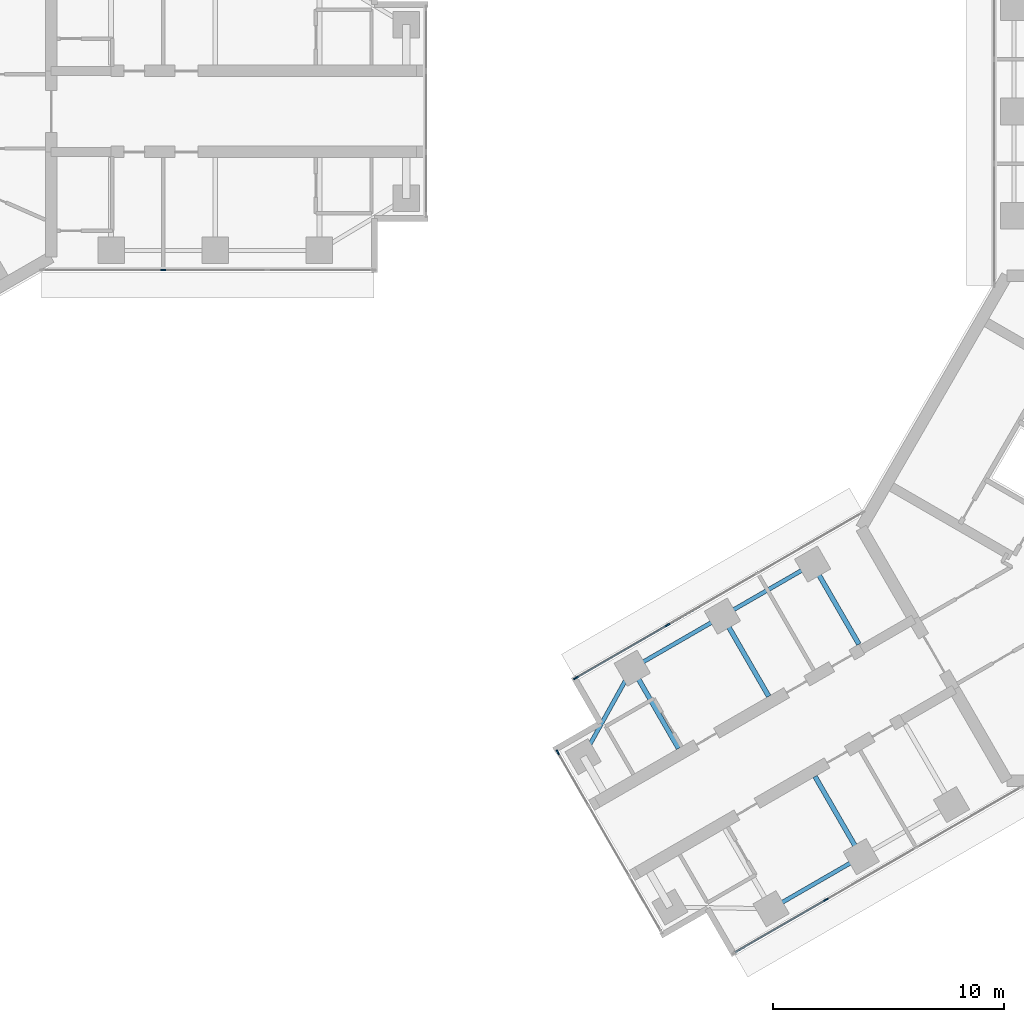
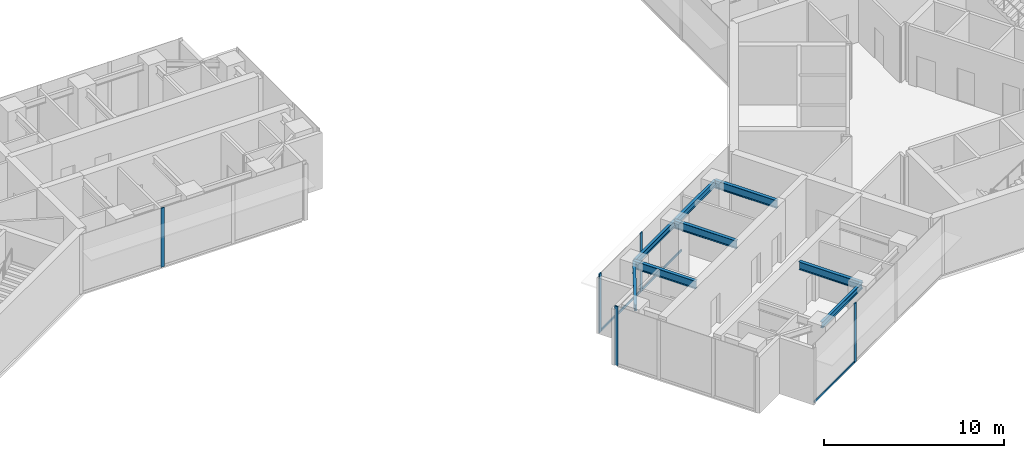
# One storey, part 3 of 17: 8 beams, 8 members, 4 elements without a shape of their own.
"""IFC4 building model written with IfcOpenShell, lengths in metres."""

from ifc_helpers import new_model, si_unit, direction, frame, origin, origin_2d, place, context, subcontext, project, spatial, rectangle, i_section, extrude, material, material_profile, profile_set, type_object, element, aggregate, save


model = new_model("IFC4")

# Units and contexts
model_context = context("Model", 3, precision=1e-05, world=origin(), true_north=direction((0.0, 1.0)))
body_context = subcontext(model_context, "Body", "Model", "MODEL_VIEW")
ifc_project = project(units=[si_unit("LENGTHUNIT", "METRE"), si_unit("AREAUNIT", "SQUARE_METRE"), si_unit("VOLUMEUNIT", "CUBIC_METRE"), si_unit("PLANEANGLEUNIT", "RADIAN"), si_unit("MASSUNIT", "GRAM", prefix="KILO")], contexts=[model_context])

# Site, building, storey
site_placement = place(None, origin())
site = spatial("IfcSite", under=ifc_project, at=site_placement, CompositionType="ELEMENT")
building_placement = place(site_placement, origin())
building = spatial("IfcBuilding", under=site, at=building_placement, Name="Upepo Twin Towers", CompositionType="ELEMENT")
storey_placement = place(building_placement, frame((0.0, 0.0, 194.5)))
storey = spatial("IfcBuildingStorey", under=building, at=storey_placement, Name="L47", CompositionType="ELEMENT", Elevation=194.5)

# Beams
ifc_material_1 = material(Name="Steel S355", Category="steel")
ifc_material_profile_1 = material_profile(ifc_material_1, i_section(OverallWidth=0.177978515625, OverallDepth=0.406494140625, WebThickness=0.0078125, FlangeThickness=0.0126953125, FilletRadius=0.01025390625, at=origin_2d()), Name="UB 406x178x60")
ifc_profile_set_1 = profile_set([ifc_material_profile_1], Name="Steel S355")
beam_type_1 = type_object("IfcBeamType", Name="Beam UB 406x178x60", PredefinedType="BEAM", material=ifc_profile_set_1)
beam_1_placement = place(storey_placement, frame((45.91162109375, -32.196044921875, 3.5966796875), z_axis=(-0.866031096941, -0.499990139034, 0.0), x_axis=(0.499990139034, -0.866031096941, 0.0)))
element("IfcBeam", 1, at=beam_1_placement, inside=storey, type_object=beam_type_1, Name="T2 edge beam BL 18.0-22.5", PredefinedType="BEAM", context=body_context, shape_type="SweptSolid", body=[
    extrude(i_section(OverallWidth=0.177978515625, OverallDepth=0.406494140625, WebThickness=0.0078125, FlangeThickness=0.0126953125, FilletRadius=0.01025390625, at=origin_2d()), origin(), (0.0, 0.0, 1.0), 4.5),
])
beam_2_placement = place(storey_placement, frame((43.80859375, -19.553955078125, 3.5966796875), z_axis=(-0.866017533419, -0.500013631625, 0.0), x_axis=(0.500013631625, -0.866017533419, 0.0)))
element("IfcBeam", 2, at=beam_2_placement, inside=storey, type_object=beam_type_1, Name="T2 edge beam BR 13.5-18.0", PredefinedType="BEAM", context=body_context, shape_type="SweptSolid", body=[
    extrude(i_section(OverallWidth=0.177978515625, OverallDepth=0.406494140625, WebThickness=0.0078125, FlangeThickness=0.0126953125, FilletRadius=0.01025390625, at=origin_2d()), origin(), (0.0, 0.0, 1.0), 4.499755859375),
])
beam_3_placement = place(storey_placement, frame((39.91162109375, -21.803955078125, 3.5966796875), z_axis=(-0.866031096941, -0.499990139034, 0.0), x_axis=(0.499990139034, -0.866031096941, 0.0)))
element("IfcBeam", 3, at=beam_3_placement, inside=storey, type_object=beam_type_1, Name="T2 edge beam BR 18.0-22.5", PredefinedType="BEAM", context=body_context, shape_type="SweptSolid", body=[
    extrude(i_section(OverallWidth=0.177978515625, OverallDepth=0.406494140625, WebThickness=0.0078125, FlangeThickness=0.0126953125, FilletRadius=0.01025390625, at=origin_2d()), origin(), (0.0, 0.0, 1.0), 4.5),
])
beam_4_placement = place(storey_placement, frame((36.014404296875, -24.053955078125, 3.5966796875), z_axis=(-0.485363242752, -0.874312600038, 0.0), x_axis=(0.874312600038, -0.485363242752, 0.0)))
element("IfcBeam", 4, at=beam_4_placement, inside=storey, type_object=beam_type_1, Name="T2 nose edge beam BR", PredefinedType="BEAM", context=body_context, shape_type="SweptSolid", body=[
    extrude(i_section(OverallWidth=0.177978515625, OverallDepth=0.406494140625, WebThickness=0.0078125, FlangeThickness=0.0126953125, FilletRadius=0.01025390625, at=origin_2d()), origin(), (0.0, 0.0, 1.0), 4.373046875),
])
ifc_material_2 = material(Name="Steel S355", Category="steel")
ifc_material_profile_2 = material_profile(ifc_material_2, i_section(OverallWidth=0.209228515625, OverallDepth=0.533203125, WebThickness=0.010009765625, FlangeThickness=0.015625, FilletRadius=0.0126953125, at=origin_2d()), Name="UB 533x210x92")
ifc_profile_set_2 = profile_set([ifc_material_profile_2], Name="Steel S355")
beam_type_2 = type_object("IfcBeamType", Name="Beam UB 533x210x92", PredefinedType="BEAM", material=ifc_profile_set_2)
for number, where, z_axis, x_axis, name in (
    (5, (45.91162109375, -32.196044921875, 3.533447265625), (-0.49999894854, 0.866026010844, 0.0), (-0.866026010844, -0.49999894854, 0.0), "T2 girder BL at 18.0"),
    (6, (43.80859375, -19.553955078125, 3.533447265625), (0.49999894854, -0.866026010844, 0.0), (0.866026010844, 0.49999894854, 0.0), "T2 girder BR at 13.5"),
    (7, (39.91162109375, -21.803955078125, 3.533447265625), (0.49999894854, -0.866026010844, 0.0), (0.866026010844, 0.49999894854, 0.0), "T2 girder BR at 18.0"),
    (8, (36.014404296875, -24.053955078125, 3.533447265625), (0.49999894854, -0.866026010844, 0.0), (0.866026010844, 0.49999894854, 0.0), "T2 girder BR at 22.5"),
):
    element("IfcBeam", number, at=place(storey_placement, frame(where, z_axis=z_axis, x_axis=x_axis)), inside=storey, type_object=beam_type_2, Name=name, PredefinedType="BEAM", context=body_context, shape_type="SweptSolid", body=[
        extrude(i_section(OverallWidth=0.209228515625, OverallDepth=0.533203125, WebThickness=0.010009765625, FlangeThickness=0.015625, FilletRadius=0.0126953125, at=origin_2d()), origin(), (0.0, 0.0, 1.0), 4.0),
    ])

# Curtain wall, member
ifc_material_3 = material(Name="Aluminium and fritted glass", Category="aluminium")
curtain_wall_type = type_object("IfcCurtainWallType", Name="Tower curtain wall TW3, fritted glass", PredefinedType="NOTDEFINED", material=ifc_material_3)
curtain_wall_1_placement = place(storey_placement, origin())
curtain_wall_1 = element("IfcCurtainWall", 9, at=curtain_wall_1_placement, inside=storey, type_object=curtain_wall_type, Name="T1 L47 wing A flank R curtain wall", PredefinedType="NOTDEFINED")
ifc_material_4 = material(Name="Aluminium mullion", Category="aluminium")
ifc_material_profile_3 = material_profile(ifc_material_4, rectangle(XDim=0.06494140625, YDim=0.22509765625, at=origin_2d()), Name="MULLION 65x225")
ifc_profile_set_3 = profile_set([ifc_material_profile_3], Name="Aluminium mullion")
member_type_1 = type_object("IfcMemberType", Name="Mullion 65x225 TW3", PredefinedType="MULLION", material=ifc_profile_set_3)
member_1_placement = place(storey_placement, frame((15.75, -6.85009765625, 0.0), z_axis=(0.0, 0.0, 1.0), x_axis=(0.0, -1.0, 0.0)))
member_1 = element("IfcMember", 10, at=member_1_placement, type_object=member_type_1, Name="T1 L47 wing A flank R curtain wall mullion 3", PredefinedType="MULLION", context=body_context, shape_type="SweptSolid", body=[
    extrude(rectangle(XDim=0.06494140625, YDim=0.22509765625, at=origin_2d()), origin(), (0.0, 0.0, 1.0), 4.0),
])
aggregate(curtain_wall_1, [member_1])

curtain_wall_2_placement = place(storey_placement, origin())
curtain_wall_2 = element("IfcCurtainWall", 11, at=curtain_wall_2_placement, inside=storey, type_object=curtain_wall_type, Name="T2 L47 wing B flank L curtain wall", PredefinedType="NOTDEFINED")
member_2_placement = place(storey_placement, frame((44.387939453125, -34.057373046875, 0.0), z_axis=(0.0, 0.0, 1.0), x_axis=(0.500000026527, -0.866025388469, 0.0)))
member_2 = element("IfcMember", 12, at=member_2_placement, type_object=member_type_1, Name="T2 L47 wing B flank L curtain wall mullion 3", PredefinedType="MULLION", context=body_context, shape_type="SweptSolid", body=[
    extrude(rectangle(XDim=0.06494140625, YDim=0.22509765625, at=origin_2d()), origin(), (0.0, 0.0, 1.0), 4.0),
])

# Curtain wall, members
curtain_wall_3_placement = place(storey_placement, origin())
curtain_wall_3 = element("IfcCurtainWall", 13, at=curtain_wall_3_placement, inside=storey, type_object=curtain_wall_type, Name="T2 L47 wing B flank R curtain wall", PredefinedType="NOTDEFINED")
member_3_placement = place(storey_placement, frame((33.58251953125, -24.4765625, 0.0), z_axis=(0.0, 0.0, 1.0), x_axis=(-0.500000026527, 0.866025388469, 0.0)))
member_3 = element("IfcMember", 14, at=member_3_placement, type_object=member_type_1, Name="T2 L47 wing B flank R curtain wall mullion 1", PredefinedType="MULLION", context=body_context, shape_type="SweptSolid", body=[
    extrude(rectangle(XDim=0.06494140625, YDim=0.22509765625, at=origin_2d()), origin(), (0.0, 0.0, 1.0), 4.0),
])
member_4_placement = place(storey_placement, frame((37.5380859375, -22.192626953125, 0.0), z_axis=(0.0, 0.0, 1.0), x_axis=(-0.500000026527, 0.866025388469, 0.0)))
member_4 = element("IfcMember", 15, at=member_4_placement, type_object=member_type_1, Name="T2 L47 wing B flank R curtain wall mullion 2", PredefinedType="MULLION", context=body_context, shape_type="SweptSolid", body=[
    extrude(rectangle(XDim=0.06494140625, YDim=0.22509765625, at=origin_2d()), origin(), (0.0, 0.0, 1.0), 4.0),
])

# Curtain wall, member
curtain_wall_4_placement = place(storey_placement, origin())
curtain_wall_4 = element("IfcCurtainWall", 16, at=curtain_wall_4_placement, inside=storey, type_object=curtain_wall_type, Name="T2 L47 wing B nose curtain wall", PredefinedType="NOTDEFINED")
member_5_placement = place(storey_placement, frame((32.796875, -27.68115234375, 0.0), z_axis=(0.0, 0.0, 1.0), x_axis=(0.866025386174, 0.500000030502, 0.0)))
member_5 = element("IfcMember", 17, at=member_5_placement, type_object=member_type_1, Name="T2 L47 wing B nose curtain wall mullion 1", PredefinedType="MULLION", context=body_context, shape_type="SweptSolid", body=[
    extrude(rectangle(XDim=0.06494140625, YDim=0.22509765625, at=origin_2d()), origin(), (0.0, 0.0, 1.0), 4.0),
])
aggregate(curtain_wall_4, [member_5])

# Member
ifc_material_5 = material(Name="Aluminium transom", Category="aluminium")
ifc_material_profile_4 = material_profile(ifc_material_5, rectangle(XDim=0.06494140625, YDim=0.14990234375, at=origin_2d()), Name="TRANSOM 65x150")
ifc_profile_set_4 = profile_set([ifc_material_profile_4], Name="Aluminium transom")
member_type_2 = type_object("IfcMemberType", Name="Transom 65x150 TW3", PredefinedType="USERDEFINED", material=ifc_profile_set_4)
member_6_placement = place(storey_placement, frame((44.35986328125, -34.073486328125, 0.074951171875), z_axis=(-0.866035699072, -0.499982167615, 0.0), x_axis=(0.499982167615, -0.866035699072, 0.0)))
member_6 = element("IfcMember", 18, at=member_6_placement, type_object=member_type_2, Name="T2 L47 wing B flank L curtain wall transom 3", ObjectType="TRANSOM", PredefinedType="USERDEFINED", context=body_context, shape_type="SweptSolid", body=[
    extrude(rectangle(XDim=0.06494140625, YDim=0.14990234375, at=origin_2d()), origin(), (0.0, 0.0, 1.0), 4.502685546875),
])

aggregate(curtain_wall_2, [member_2, member_6])

member_7_placement = place(storey_placement, frame((33.610595703125, -24.460205078125, 0.074951171875), z_axis=(0.866022143554, 0.500005646842, 0.0), x_axis=(-0.500005646842, 0.866022143554, 0.0)))
member_7 = element("IfcMember", 19, at=member_7_placement, type_object=member_type_2, Name="T2 L47 wing B flank R curtain wall transom 1", ObjectType="TRANSOM", PredefinedType="USERDEFINED", context=body_context, shape_type="SweptSolid", body=[
    extrude(rectangle(XDim=0.06494140625, YDim=0.14990234375, at=origin_2d()), origin(), (0.0, 0.0, 1.0), 4.50244140625),
])

member_8_placement = place(storey_placement, frame((37.566162109375, -22.176513671875, 0.074951171875), z_axis=(0.866022410713, 0.500005184116, 0.0), x_axis=(-0.500005184116, 0.866022410713, 0.0)))
member_8 = element("IfcMember", 20, at=member_8_placement, type_object=member_type_2, Name="T2 L47 wing B flank R curtain wall transom 2", ObjectType="TRANSOM", PredefinedType="USERDEFINED", context=body_context, shape_type="SweptSolid", body=[
    extrude(rectangle(XDim=0.06494140625, YDim=0.14990234375, at=origin_2d()), origin(), (0.0, 0.0, 1.0), 4.43505859375),
])

aggregate(curtain_wall_3, [member_3, member_4, member_7, member_8])

save(model, "model.ifc")
